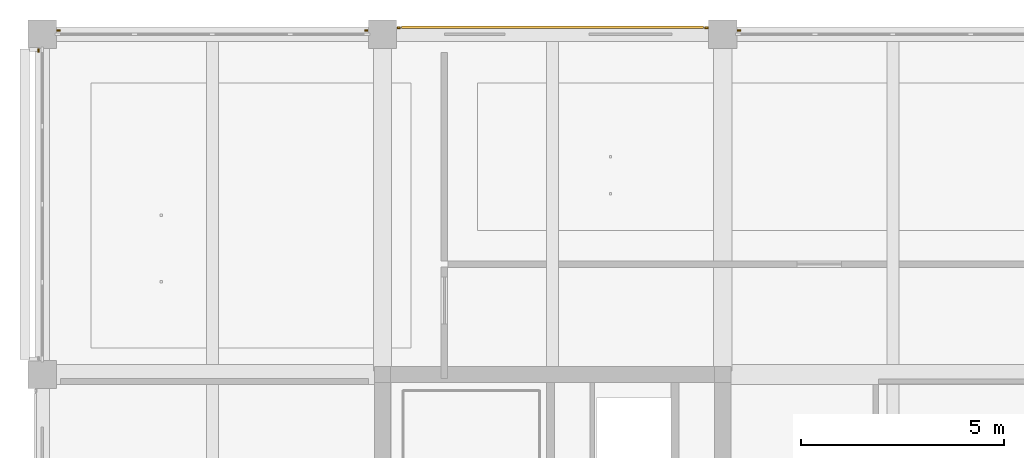
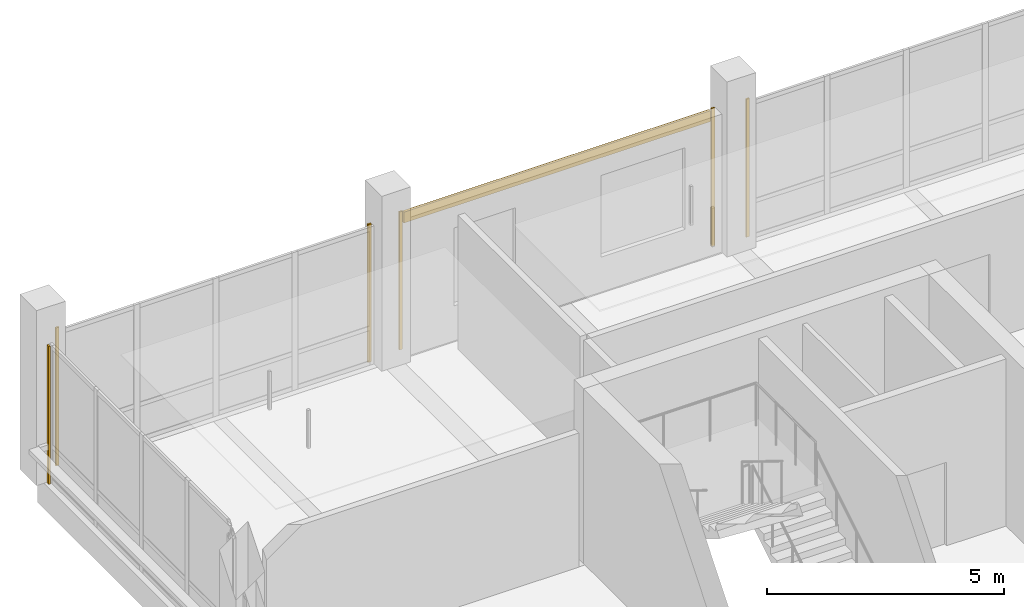
# One storey, part 33 of 35: 7 coverings.
"""IFC4 building model written with IfcOpenShell, lengths in metres."""

from ifc_helpers import new_model, si_unit, direction, frame, origin, origin_2d, place, context, subcontext, project, spatial, rectangle, extrude, material, layer, layer_set, type_object, element, save


model = new_model("IFC4")

# Units and contexts
model_context = context("Model", 3, precision=1e-05, world=origin(), true_north=direction((0.0, 1.0)))
body_context = subcontext(model_context, "Body", "Model", "MODEL_VIEW")
ifc_project = project(units=[si_unit("LENGTHUNIT", "METRE"), si_unit("AREAUNIT", "SQUARE_METRE"), si_unit("VOLUMEUNIT", "CUBIC_METRE"), si_unit("PLANEANGLEUNIT", "RADIAN"), si_unit("MASSUNIT", "GRAM", prefix="KILO")], contexts=[model_context])

# Site, building, storey
site_placement = place(None, origin())
site = spatial("IfcSite", under=ifc_project, at=site_placement, CompositionType="ELEMENT")
building_placement = place(site_placement, origin())
building = spatial("IfcBuilding", under=site, at=building_placement, Name="Telukmera Botanical Conservatory", CompositionType="ELEMENT")
storey_placement = place(building_placement, frame((0.0, 0.0, 46.5)))
storey = spatial("IfcBuildingStorey", under=building, at=storey_placement, Name="L10", CompositionType="ELEMENT", Elevation=46.5)

# Coverings
ifc_material_1 = material(Name="Granite-faced precast concrete C40/50", Category="masonry")
ifc_layer_1 = layer(ifc_material_1, 0.0400390625)
ifc_layer_set_1 = layer_set([ifc_layer_1], Name="Granite-faced precast concrete C40/50")
covering_type_1 = type_object("IfcCoveringType", Name="Granite Precast Column Pier Reveal Casing", PredefinedType="CLADDING", material=ifc_layer_set_1)
for number, where, z_axis, x_axis, name in (
    (1, (50.802001953125, 42.889892578125, 0.0), (0.0, 0.0, 1.0), (1.0, 0.0, 0.0), "Granite Pier Reveal V4:L10:N1 L"),
    (2, (58.39794921875, 42.889892578125, 0.0), (0.0, 0.0, 1.0), (1.0, 0.0, 0.0), "Granite Pier Reveal V4:L10:N1 R"),
    (3, (59.201904296875, 42.9599609375, 0.0), (0.0, 0.0, 1.0), (1.0, 0.0, 0.0), "Granite Pier Reveal V4:L10:N2 L"),
    (4, (66.798095703125, 42.9599609375, 0.0), (0.0, 0.0, 1.0), (1.0, 0.0, 0.0), "Granite Pier Reveal V4:L10:N2 R"),
    (5, (67.60205078125, 42.889892578125, 0.0), (0.0, 0.0, 1.0), (1.0, 0.0, 0.0), "Granite Pier Reveal V4:L10:N3 L"),
    (6, (50.31005859375, 42.39794921875, 0.0), (0.0, 0.0, 1.0), (0.0, 1.0, 0.0), "Granite Pier Reveal V4:L10:W4 R"),
):
    element("IfcCovering", number, at=place(storey_placement, frame(where, z_axis=z_axis, x_axis=x_axis)), inside=storey, type_object=covering_type_1, Name=name, PredefinedType="CLADDING", context=body_context, shape_type="SweptSolid", body=[
        extrude(rectangle(XDim=0.080078125, YDim=0.0400390625, at=origin_2d()), origin(), (0.0, 0.0, 1.0), 3.550048828125),
    ])
ifc_material_2 = material(Name="Terracotta-faced precast concrete C40/50", Category="masonry")
ifc_layer_2 = layer(ifc_material_2, 0.06005859375)
ifc_layer_set_2 = layer_set([ifc_layer_2], Name="Terracotta-faced precast concrete C40/50")
covering_type_2 = type_object("IfcCoveringType", Name="Polychrome Terracotta Facade Band Cladding", PredefinedType="CLADDING", material=ifc_layer_set_2)
covering_placement = place(storey_placement, frame((63.0, 42.969970703125, 3.22998046875), z_axis=(0.0, 0.0, 1.0), x_axis=(1.0, 0.0, 0.0)))
element("IfcCovering", 7, at=covering_placement, inside=storey, type_object=covering_type_2, Name="Polychrome Terracotta Band V4:L10:N2", PredefinedType="CLADDING", context=body_context, shape_type="SweptSolid", body=[
    extrude(rectangle(XDim=7.4560546875, YDim=0.06005859375, at=origin_2d()), origin(), (0.0, 0.0, 1.0), 0.280029296875),
])

save(model, "model.ifc")
